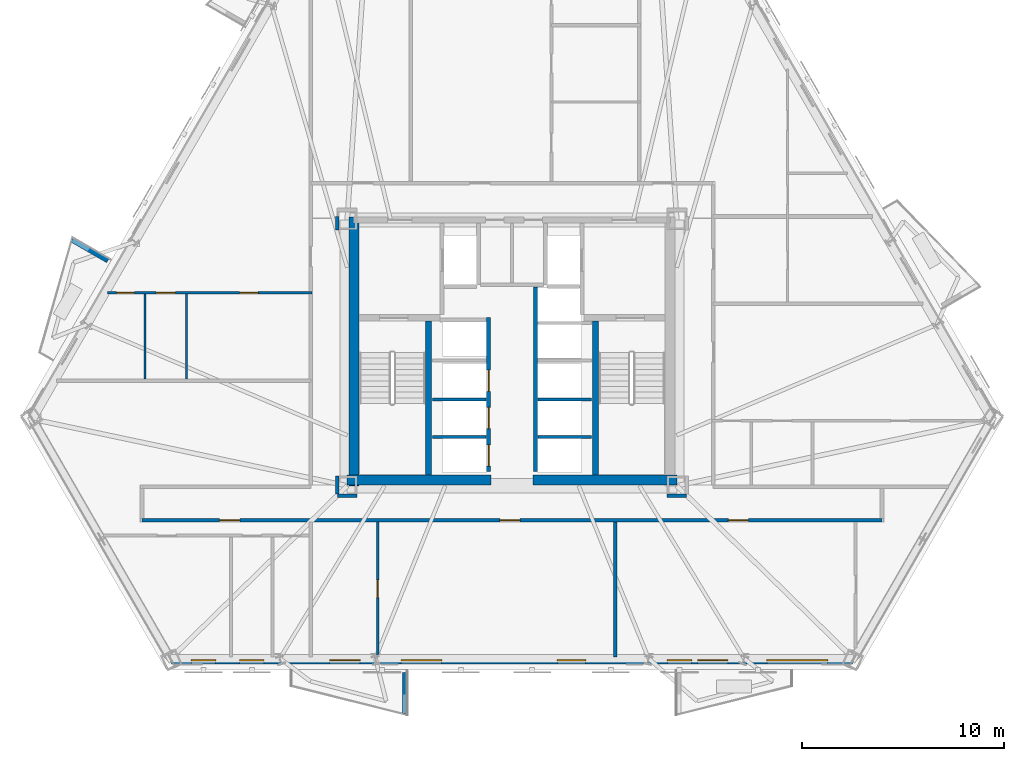
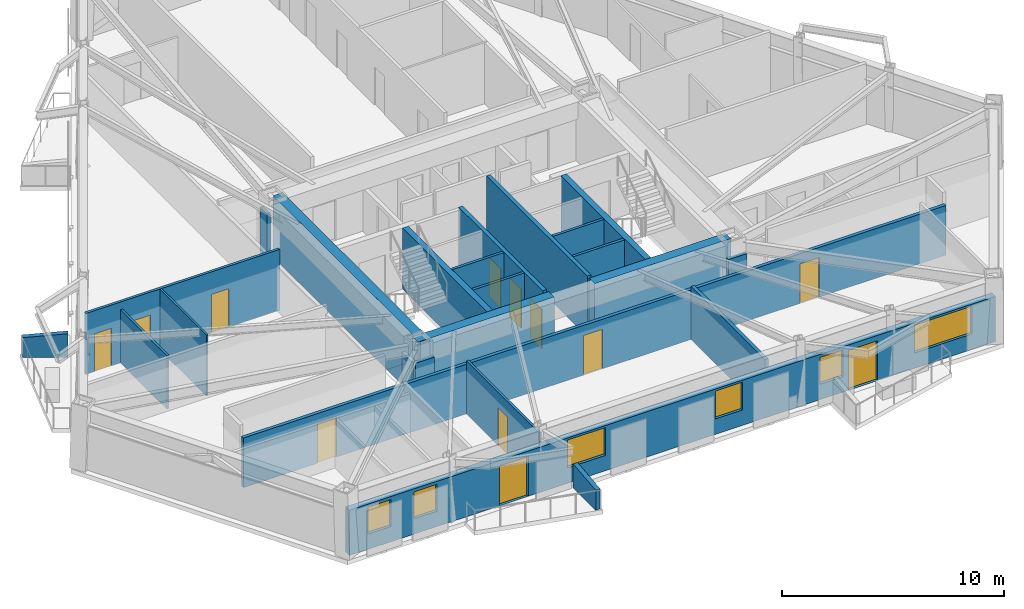
# One storey, part 3 of 10: 24 walls, 12 doors, 6 windows, 18 openings.
"""IFC4 building model written with IfcOpenShell, lengths in metres."""

from ifc_helpers import new_model, si_unit, direction, frame, frame_2d, origin, place, context, subcontext, project, spatial, polyline, rectangle, outline, extrude, material, layer, layer_set, type_object, element, fill, save


model = new_model("IFC4")

# Units and contexts
model_context = context("Model", 3, precision=1e-05, world=origin(), true_north=direction((0.0, 1.0)))
body_context = subcontext(model_context, "Body", "Model", "MODEL_VIEW")
ifc_project = project(units=[si_unit("LENGTHUNIT", "METRE"), si_unit("AREAUNIT", "SQUARE_METRE"), si_unit("VOLUMEUNIT", "CUBIC_METRE"), si_unit("PLANEANGLEUNIT", "RADIAN"), si_unit("MASSUNIT", "GRAM", prefix="KILO")], contexts=[model_context])

# Site, building, storey
site_placement = place(None, origin())
site = spatial("IfcSite", under=ifc_project, at=site_placement, CompositionType="ELEMENT")
building_placement = place(site_placement, origin())
building = spatial("IfcBuilding", under=site, at=building_placement, Name="Oramaril Tower", CompositionType="ELEMENT")
storey_placement = place(building_placement, frame((0.0, 0.0, 63.300048828125)))
storey = spatial("IfcBuildingStorey", under=building, at=storey_placement, Name="L16", CompositionType="ELEMENT", Elevation=63.300048828125)

# Wall, openings, doors, windows
ifc_material_1 = material(Name="Warm Cream Limestone", Category="masonry")
ifc_layer_1 = layer(ifc_material_1, 0.340087890625)
ifc_layer_set_1 = layer_set([ifc_layer_1], Name="WT-EXT34")
wall_type_1 = type_object("IfcWallType", Name="WT-EXT34", PredefinedType="SOLIDWALL", material=ifc_layer_set_1)
wall_1_placement = place(storey_placement, frame((20.66259765625, 2.370361328125, 0.0), z_axis=(0.0, 0.0, 1.0), x_axis=(1.0, 0.0, 0.0)))
wall_1 = element("IfcWall", 1, at=wall_1_placement, inside=storey, type_object=wall_type_1, Name="L16 Tower Limestone Facade Wall 2M", PredefinedType="SOLIDWALL", context=body_context, shape_type="SweptSolid", body=[
    extrude(rectangle(XDim=33.6748046875, YDim=0.340087890625, at=frame_2d((16.83740234375, 0.0))), origin(), (0.0, 0.0, 1.0), 2.493896484375),
])
opening_1_placement = place(wall_1_placement, frame((7.824462890625, 0.0, 0.0)))
opening_1 = element("IfcOpeningElement", 2, at=opening_1_placement, cuts=wall_1, Name="Opening D-L16-BAL-S1", PredefinedType="OPENING", context=body_context, shape_type="SweptSolid", body=[
    extrude(rectangle(XDim=1.5, YDim=2.199951171875, at=frame_2d((0.75, 1.10009765625))), frame((0.0, 0.169921875, 0.0), z_axis=(0.0, -1.0, 0.0), x_axis=(1.0, 0.0, 0.0)), (0.0, 0.0, 1.0), 0.340087890625),
])
opening_2_placement = place(wall_1_placement, frame((26.015380859375, 0.0, 0.0)))
opening_2 = element("IfcOpeningElement", 3, at=opening_2_placement, cuts=wall_1, Name="Opening D-L16-BAL-S2", PredefinedType="OPENING", context=body_context, shape_type="SweptSolid", body=[
    extrude(rectangle(XDim=1.5, YDim=2.199951171875, at=frame_2d((0.75, 1.10009765625))), frame((0.0, 0.169921875, 0.0), z_axis=(0.0, -1.0, 0.0), x_axis=(1.0, 0.0, 0.0)), (0.0, 0.0, 1.0), 0.340087890625),
])
opening_3_placement = place(wall_1_placement, frame((11.357177734375, 0.0, 0.85009765625)))
opening_3 = element("IfcOpeningElement", 4, at=opening_3_placement, cuts=wall_1, Name="Opening WN-05", PredefinedType="OPENING", context=body_context, shape_type="SweptSolid", body=[
    extrude(rectangle(XDim=2.0, YDim=1.533935546875, at=frame_2d((1.0, 0.76708984375))), frame((0.0, 0.169921875, 0.0), z_axis=(0.0, -1.0, 0.0), x_axis=(1.0, 0.0, 0.0)), (0.0, 0.0, 1.0), 0.340087890625),
])
opening_4_placement = place(wall_1_placement, frame((19.07861328125, 0.0, 0.85009765625)))
opening_4 = element("IfcOpeningElement", 5, at=opening_4_placement, cuts=wall_1, Name="Opening WN-08", PredefinedType="OPENING", context=body_context, shape_type="SweptSolid", body=[
    extrude(rectangle(XDim=1.39990234375, YDim=1.533935546875, at=frame_2d((0.699951171875, 0.76708984375))), frame((0.0, 0.169921875, 0.0), z_axis=(0.0, -1.0, 0.0), x_axis=(1.0, 0.0, 0.0)), (0.0, 0.0, 1.0), 0.340087890625),
])
opening_5_placement = place(wall_1_placement, frame((24.52099609375, 0.0, 0.85009765625)))
opening_5 = element("IfcOpeningElement", 6, at=opening_5_placement, cuts=wall_1, Name="Opening WN-09", PredefinedType="OPENING", context=body_context, shape_type="SweptSolid", body=[
    extrude(rectangle(XDim=1.199951171875, YDim=1.47998046875, at=frame_2d((0.60009765625, 0.739990234375))), frame((0.0, 0.169921875, 0.0), z_axis=(0.0, -1.0, 0.0), x_axis=(1.0, 0.0, 0.0)), (0.0, 0.0, 1.0), 0.340087890625),
])
opening_6_placement = place(wall_1_placement, frame((29.44482421875, 0.0, 0.85009765625)))
opening_6 = element("IfcOpeningElement", 7, at=opening_6_placement, cuts=wall_1, Name="Opening WN-10", PredefinedType="OPENING", context=body_context, shape_type="SweptSolid", body=[
    extrude(rectangle(XDim=3.0, YDim=1.533935546875, at=frame_2d((1.5, 0.76708984375))), frame((0.0, 0.169921875, 0.0), z_axis=(0.0, -1.0, 0.0), x_axis=(1.0, 0.0, 0.0)), (0.0, 0.0, 1.0), 0.340087890625),
])
opening_7_placement = place(wall_1_placement, frame((0.97998046875, 0.0, 0.85009765625)))
opening_7 = element("IfcOpeningElement", 8, at=opening_7_placement, cuts=wall_1, Name="Opening WN-09", PredefinedType="OPENING", context=body_context, shape_type="SweptSolid", body=[
    extrude(rectangle(XDim=1.199951171875, YDim=1.47998046875, at=frame_2d((0.60009765625, 0.739990234375))), frame((0.0, 0.169921875, 0.0), z_axis=(0.0, -1.0, 0.0), x_axis=(1.0, 0.0, 0.0)), (0.0, 0.0, 1.0), 0.340087890625),
])
opening_8_placement = place(wall_1_placement, frame((3.372314453125, 0.0, 0.85009765625)))
opening_8 = element("IfcOpeningElement", 9, at=opening_8_placement, cuts=wall_1, Name="Opening WN-09", PredefinedType="OPENING", context=body_context, shape_type="SweptSolid", body=[
    extrude(rectangle(XDim=1.199951171875, YDim=1.47998046875, at=frame_2d((0.60009765625, 0.739990234375))), frame((0.0, 0.169921875, 0.0), z_axis=(0.0, -1.0, 0.0), x_axis=(1.0, 0.0, 0.0)), (0.0, 0.0, 1.0), 0.340087890625),
])
ifc_material_2 = material(Name="Anodised Aluminium 6063-T6", Category="aluminium")
door_type_1 = type_object("IfcDoorType", Name="DT-BAL", OperationType="NOTDEFINED", PredefinedType="DOOR", material=ifc_material_2)
door_1_placement = place(opening_1_placement, origin())
door_1 = element("IfcDoor", 10, at=door_1_placement, inside=storey, type_object=door_type_1, Name="L16 Balcony Glazed Door L16-BAL-S1", OperationType="SINGLE_SWING_LEFT", OverallHeight=2.199951171875, OverallWidth=1.5, PredefinedType="DOOR", context=body_context, shape_type="SweptSolid", body=[
    extrude(rectangle(XDim=1.5, YDim=2.199951171875, at=frame_2d((0.75, 1.10009765625))), frame((0.0, 0.02490234375, 0.0), z_axis=(0.0, -1.0, 0.0), x_axis=(1.0, 0.0, 0.0)), (0.0, 0.0, 1.0), 0.050048828125),
])
fill(opening_1, door_1)
door_2_placement = place(opening_2_placement, origin())
door_2 = element("IfcDoor", 11, at=door_2_placement, inside=storey, type_object=door_type_1, Name="L16 Balcony Glazed Door L16-BAL-S2", OperationType="SINGLE_SWING_RIGHT", OverallHeight=2.199951171875, OverallWidth=1.5, PredefinedType="DOOR", context=body_context, shape_type="SweptSolid", body=[
    extrude(rectangle(XDim=1.5, YDim=2.199951171875, at=frame_2d((0.75, 1.10009765625))), frame((0.0, 0.02490234375, 0.0), z_axis=(0.0, -1.0, 0.0), x_axis=(1.0, 0.0, 0.0)), (0.0, 0.0, 1.0), 0.050048828125),
])
fill(opening_2, door_2)
ifc_material_3 = material(Name="Coastal Low-E Insulated Glass", Category="glass")
window_type_1 = type_object("IfcWindowType", Name="WNT-05", PartitioningType="SINGLE_PANEL", PredefinedType="WINDOW", material=ifc_material_3)
window_1_placement = place(opening_3_placement, origin())
window_1 = element("IfcWindow", 12, at=window_1_placement, inside=storey, type_object=window_type_1, Name="L16 Chicago Bay Window WN-05", OverallHeight=1.533935546875, OverallWidth=2.0, PartitioningType="SINGLE_PANEL", PredefinedType="WINDOW", context=body_context, shape_type="SweptSolid", body=[
    extrude(rectangle(XDim=2.0, YDim=1.533935546875, at=frame_2d((1.0, 0.76708984375))), frame((0.0, 0.030029296875, 0.0), z_axis=(0.0, -1.0, 0.0), x_axis=(1.0, 0.0, 0.0)), (0.0, 0.0, 1.0), 0.06005859375),
])
fill(opening_3, window_1)
ifc_material_4 = material(Name="Coastal Low-E Insulated Glass", Category="glass")
window_type_2 = type_object("IfcWindowType", Name="WNT-08", PartitioningType="SINGLE_PANEL", PredefinedType="WINDOW", material=ifc_material_4)
window_2_placement = place(opening_4_placement, origin())
window_2 = element("IfcWindow", 13, at=window_2_placement, inside=storey, type_object=window_type_2, Name="L16 Chicago Bay Window WN-08", OverallHeight=1.533935546875, OverallWidth=1.39990234375, PartitioningType="SINGLE_PANEL", PredefinedType="WINDOW", context=body_context, shape_type="SweptSolid", body=[
    extrude(rectangle(XDim=1.39990234375, YDim=1.533935546875, at=frame_2d((0.699951171875, 0.76708984375))), frame((0.0, 0.030029296875, 0.0), z_axis=(0.0, -1.0, 0.0), x_axis=(1.0, 0.0, 0.0)), (0.0, 0.0, 1.0), 0.06005859375),
])
fill(opening_4, window_2)
ifc_material_5 = material(Name="Coastal Low-E Insulated Glass", Category="glass")
window_type_3 = type_object("IfcWindowType", Name="WNT-09", PartitioningType="SINGLE_PANEL", PredefinedType="WINDOW", material=ifc_material_5)
window_3_placement = place(opening_5_placement, origin())
window_3 = element("IfcWindow", 14, at=window_3_placement, inside=storey, type_object=window_type_3, Name="L16 Chicago Bay Window WN-09", OverallHeight=1.47998046875, OverallWidth=1.199951171875, PartitioningType="SINGLE_PANEL", PredefinedType="WINDOW", context=body_context, shape_type="SweptSolid", body=[
    extrude(rectangle(XDim=1.199951171875, YDim=1.47998046875, at=frame_2d((0.60009765625, 0.739990234375))), frame((0.0, 0.030029296875, 0.0), z_axis=(0.0, -1.0, 0.0), x_axis=(1.0, 0.0, 0.0)), (0.0, 0.0, 1.0), 0.06005859375),
])
fill(opening_5, window_3)
window_4_placement = place(opening_7_placement, origin())
window_4 = element("IfcWindow", 15, at=window_4_placement, inside=storey, type_object=window_type_3, Name="L16 Chicago Bay Window WN-09", OverallHeight=1.47998046875, OverallWidth=1.199951171875, PartitioningType="SINGLE_PANEL", PredefinedType="WINDOW", context=body_context, shape_type="SweptSolid", body=[
    extrude(rectangle(XDim=1.199951171875, YDim=1.47998046875, at=frame_2d((0.60009765625, 0.739990234375))), frame((0.0, 0.030029296875, 0.0), z_axis=(0.0, -1.0, 0.0), x_axis=(1.0, 0.0, 0.0)), (0.0, 0.0, 1.0), 0.06005859375),
])
fill(opening_7, window_4)
window_5_placement = place(opening_8_placement, origin())
window_5 = element("IfcWindow", 16, at=window_5_placement, inside=storey, type_object=window_type_3, Name="L16 Chicago Bay Window WN-09", OverallHeight=1.47998046875, OverallWidth=1.199951171875, PartitioningType="SINGLE_PANEL", PredefinedType="WINDOW", context=body_context, shape_type="SweptSolid", body=[
    extrude(rectangle(XDim=1.199951171875, YDim=1.47998046875, at=frame_2d((0.60009765625, 0.739990234375))), frame((0.0, 0.030029296875, 0.0), z_axis=(0.0, -1.0, 0.0), x_axis=(1.0, 0.0, 0.0)), (0.0, 0.0, 1.0), 0.06005859375),
])
fill(opening_8, window_5)
ifc_material_6 = material(Name="Coastal Low-E Insulated Glass", Category="glass")
window_type_4 = type_object("IfcWindowType", Name="WNT-10", PartitioningType="SINGLE_PANEL", PredefinedType="WINDOW", material=ifc_material_6)
window_6_placement = place(opening_6_placement, origin())
window_6 = element("IfcWindow", 17, at=window_6_placement, inside=storey, type_object=window_type_4, Name="L16 Chicago Bay Window WN-10", OverallHeight=1.533935546875, OverallWidth=3.0, PartitioningType="SINGLE_PANEL", PredefinedType="WINDOW", context=body_context, shape_type="SweptSolid", body=[
    extrude(rectangle(XDim=3.0, YDim=1.533935546875, at=frame_2d((1.5, 0.76708984375))), frame((0.0, 0.030029296875, 0.0), z_axis=(0.0, -1.0, 0.0), x_axis=(1.0, 0.0, 0.0)), (0.0, 0.0, 1.0), 0.06005859375),
])
fill(opening_6, window_6)

# Walls
ifc_material_7 = material(Name="Concrete C40/50", Category="concrete")
ifc_layer_2 = layer(ifc_material_7, 0.22998046875)
ifc_layer_set_2 = layer_set([ifc_layer_2], Name="WT-PRP23")
wall_type_2 = type_object("IfcWallType", Name="WT-PRP23", PredefinedType="PARAPET", material=ifc_layer_set_2)
for number, where, z_axis, x_axis, name in (
    (18, (32.19189453125, 1.772216796875, 0.0), (0.0, 0.0, 1.0), (0.0, -1.0, 0.0), "L16 Trapezoidal Balcony Frame Cheek L16-BAL-S1-R"),
    (19, (17.51123046875, 22.1337890625, 0.0), (0.0, 0.0, 1.0), (-0.866012356593, 0.500022597718, 0.0), "L16 Trapezoidal Balcony Frame Cheek L16-BAL-NW2-L"),
):
    element("IfcWall", number, at=place(storey_placement, frame(where, z_axis=z_axis, x_axis=x_axis)), inside=storey, type_object=wall_type_2, Name=name, PredefinedType="PARAPET", context=body_context, shape_type="SweptSolid", body=[
        extrude(outline(polyline([(0.0, 0.0), (2.0419921875, 0.0), (2.0419921875, 1.099853515625), (0.0, 1.320068359375), (0.0, 0.0)])), frame((0.0, 0.114990234375, 0.0), z_axis=(0.0, -1.0, 0.0), x_axis=(1.0, 0.0, 0.0)), (0.0, 0.0, 1.0), 0.22998046875),
    ])
ifc_material_8 = material(Name="Acoustic Gypsum Board Partition")
ifc_layer_3 = layer(ifc_material_8, 0.10009765625)
ifc_layer_set_3 = layer_set([ifc_layer_3], Name="WT-PT10")
wall_type_3 = type_object("IfcWallType", Name="WT-PT10", PredefinedType="PARTITIONING", material=ifc_layer_set_3)
wall_2_placement = place(storey_placement, frame((21.39990234375, 16.2939453125, 0.0), z_axis=(0.0, 0.0, 1.0), x_axis=(0.0, 1.0, 0.0)))
element("IfcWall", 20, at=wall_2_placement, inside=storey, type_object=wall_type_3, Name="L16 Interior Partition PT-10", PredefinedType="PARTITIONING", context=body_context, shape_type="SweptSolid", body=[
    extrude(rectangle(XDim=4.18212890625, YDim=0.10009765625, at=frame_2d((2.091064453125, 0.0))), origin(), (0.0, 0.0, 1.0), 3.35986328125),
])
ifc_material_9 = material(Name="Acoustic Gypsum Board Partition")
ifc_layer_4 = layer(ifc_material_9, 0.1201171875)
ifc_layer_set_4 = layer_set([ifc_layer_4], Name="WT-PT12")
wall_type_4 = type_object("IfcWallType", Name="WT-PT12", PredefinedType="PARTITIONING", material=ifc_layer_set_4)
wall_3_placement = place(storey_placement, frame((19.35009765625, 16.2939453125, 0.0), z_axis=(0.0, 0.0, 1.0), x_axis=(0.0, 1.0, 0.0)))
element("IfcWall", 21, at=wall_3_placement, inside=storey, type_object=wall_type_4, Name="L16 Interior Partition PT-12", PredefinedType="PARTITIONING", context=body_context, shape_type="SweptSolid", body=[
    extrude(rectangle(XDim=4.18212890625, YDim=0.1201171875, at=frame_2d((2.091064453125, 0.0))), origin(), (0.0, 0.0, 1.0), 2.946044921875),
])

# Wall, opening, door
wall_4_placement = place(storey_placement, frame((30.860107421875, 2.638671875, 0.0), z_axis=(0.0, 0.0, 1.0), x_axis=(0.0, 1.0, 0.0)))
wall_4 = element("IfcWall", 22, at=wall_4_placement, inside=storey, type_object=wall_type_4, Name="L16 Interior Partition PT-12", PredefinedType="PARTITIONING", context=body_context, shape_type="SweptSolid", body=[
    extrude(rectangle(XDim=6.5673828125, YDim=0.1201171875, at=frame_2d((3.28369140625, 0.0))), origin(), (0.0, 0.0, 1.0), 2.946044921875),
])
opening_9_placement = place(wall_4_placement, frame((2.83154296875, 0.0, 0.0)))
opening_9 = element("IfcOpeningElement", 23, at=opening_9_placement, cuts=wall_4, Name="Opening D-L16-18", PredefinedType="OPENING", context=body_context, shape_type="SweptSolid", body=[
    extrude(rectangle(XDim=0.8798828125, YDim=2.080078125, at=frame_2d((0.43994140625, 1.0400390625))), frame((0.0, 0.06005859375, 0.0), z_axis=(0.0, -1.0, 0.0), x_axis=(1.0, 0.0, 0.0)), (0.0, 0.0, 1.0), 0.1201171875),
])
ifc_material_10 = material(Name="FSC Brazilian Freijo Hardwood", Category="wood")
door_type_2 = type_object("IfcDoorType", Name="DT-BATH", OperationType="NOTDEFINED", PredefinedType="DOOR", material=ifc_material_10)
door_3_placement = place(opening_9_placement, origin())
door_3 = element("IfcDoor", 24, at=door_3_placement, inside=storey, type_object=door_type_2, Name="L16 Flat L16-U1 Bathroom Door D-L16-18", OperationType="SINGLE_SWING_LEFT", OverallHeight=2.080078125, OverallWidth=0.8798828125, PredefinedType="DOOR", context=body_context, shape_type="SweptSolid", body=[
    extrude(rectangle(XDim=0.8798828125, YDim=2.080078125, at=frame_2d((0.43994140625, 1.0400390625))), frame((0.0, 0.02490234375, 0.0), z_axis=(0.0, -1.0, 0.0), x_axis=(1.0, 0.0, 0.0)), (0.0, 0.0, 1.0), 0.050048828125),
])
fill(opening_9, door_3)

# Walls
ifc_material_11 = material(Name="Acoustic Gypsum Board Partition")
ifc_layer_5 = layer(ifc_material_11, 0.139892578125)
ifc_layer_set_5 = layer_set([ifc_layer_5], Name="WT-PT14")
wall_type_5 = type_object("IfcWallType", Name="WT-PT14", PredefinedType="PARTITIONING", material=ifc_layer_set_5)
for number, where, z_axis, x_axis, name in (
    (25, (33.56005859375, 13.419921875, 0.0), (0.0, 0.0, 1.0), (1.0, 0.0, 0.0), "L16 West Lift Divider"),
    (26, (33.56005859375, 15.27001953125, 0.0), (0.0, 0.0, 1.0), (1.0, 0.0, 0.0), "L16 West Lift Divider"),
    (27, (38.780029296875, 13.419921875, 0.0), (0.0, 0.0, 1.0), (1.0, 0.0, 0.0), "L16 East Lift Divider"),
    (28, (38.780029296875, 15.27001953125, 0.0), (0.0, 0.0, 1.0), (1.0, 0.0, 0.0), "L16 East Lift Divider"),
):
    element("IfcWall", number, at=place(storey_placement, frame(where, z_axis=z_axis, x_axis=x_axis)), inside=storey, type_object=wall_type_5, Name=name, PredefinedType="PARTITIONING", context=body_context, shape_type="SweptSolid", body=[
        extrude(rectangle(XDim=2.659912109375, YDim=0.139892578125, at=frame_2d((1.330078125, 0.0))), origin(), (0.0, 0.0, 1.0), 3.35986328125),
    ])

# Wall, openings, doors
wall_5_placement = place(storey_placement, frame((17.48828125, 20.550048828125, 0.0), z_axis=(0.0, 0.0, 1.0), x_axis=(1.0, 0.0, 0.0)))
wall_5 = element("IfcWall", 29, at=wall_5_placement, inside=storey, type_object=wall_type_5, Name="L16 Interior Partition PT-14", PredefinedType="PARTITIONING", context=body_context, shape_type="SweptSolid", body=[
    extrude(rectangle(XDim=10.11181640625, YDim=0.139892578125, at=frame_2d((5.055908203125, 0.0))), origin(), (0.0, 0.0, 1.0), 3.35986328125),
])
opening_10_placement = place(wall_5_placement, frame((0.46240234375, 0.0, 0.0)))
opening_10 = element("IfcOpeningElement", 30, at=opening_10_placement, cuts=wall_5, Name="Opening D-L16-10", PredefinedType="OPENING", context=body_context, shape_type="SweptSolid", body=[
    extrude(rectangle(XDim=0.8798828125, YDim=2.080078125, at=frame_2d((0.43994140625, 1.0400390625))), frame((0.0, 0.06982421875, 0.0), z_axis=(0.0, -1.0, 0.0), x_axis=(1.0, 0.0, 0.0)), (0.0, 0.0, 1.0), 0.139892578125),
])
opening_11_placement = place(wall_5_placement, frame((2.412353515625, 0.0, 0.0)))
opening_11 = element("IfcOpeningElement", 31, at=opening_11_placement, cuts=wall_5, Name="Opening D-L16-11", PredefinedType="OPENING", context=body_context, shape_type="SweptSolid", body=[
    extrude(rectangle(XDim=0.949951171875, YDim=2.10009765625, at=frame_2d((0.47509765625, 1.050048828125))), frame((0.0, 0.06982421875, 0.0), z_axis=(0.0, -1.0, 0.0), x_axis=(1.0, 0.0, 0.0)), (0.0, 0.0, 1.0), 0.139892578125),
])
opening_12_placement = place(wall_5_placement, frame((6.5419921875, 0.0, 0.0)))
opening_12 = element("IfcOpeningElement", 32, at=opening_12_placement, cuts=wall_5, Name="Opening D-L16-12", PredefinedType="OPENING", context=body_context, shape_type="SweptSolid", body=[
    extrude(rectangle(XDim=0.919921875, YDim=2.1201171875, at=frame_2d((0.4599609375, 1.06005859375))), frame((0.0, 0.06982421875, 0.0), z_axis=(0.0, -1.0, 0.0), x_axis=(1.0, 0.0, 0.0)), (0.0, 0.0, 1.0), 0.139892578125),
])
door_4_placement = place(opening_10_placement, origin())
door_4 = element("IfcDoor", 33, at=door_4_placement, inside=storey, type_object=door_type_2, Name="L16 Flat L16-U4 Bathroom Door D-L16-10", OperationType="SINGLE_SWING_LEFT", OverallHeight=2.080078125, OverallWidth=0.8798828125, PredefinedType="DOOR", context=body_context, shape_type="SweptSolid", body=[
    extrude(rectangle(XDim=0.8798828125, YDim=2.080078125, at=frame_2d((0.43994140625, 1.0400390625))), frame((0.0, 0.02490234375, 0.0), z_axis=(0.0, -1.0, 0.0), x_axis=(1.0, 0.0, 0.0)), (0.0, 0.0, 1.0), 0.050048828125),
])
fill(opening_10, door_4)
ifc_material_12 = material(Name="FSC Brazilian Freijo Hardwood", Category="wood")
door_type_3 = type_object("IfcDoorType", Name="DT-BED", OperationType="NOTDEFINED", PredefinedType="DOOR", material=ifc_material_12)
door_5_placement = place(opening_12_placement, origin())
door_5 = element("IfcDoor", 34, at=door_5_placement, inside=storey, type_object=door_type_3, Name="L16 Flat L16-U4 Master Bedroom Door D-L16-12", OperationType="SINGLE_SWING_LEFT", OverallHeight=2.1201171875, OverallWidth=0.919921875, PredefinedType="DOOR", context=body_context, shape_type="SweptSolid", body=[
    extrude(rectangle(XDim=0.919921875, YDim=2.1201171875, at=frame_2d((0.4599609375, 1.06005859375))), frame((0.0, 0.02490234375, 0.0), z_axis=(0.0, -1.0, 0.0), x_axis=(1.0, 0.0, 0.0)), (0.0, 0.0, 1.0), 0.050048828125),
])
fill(opening_12, door_5)
ifc_material_13 = material(Name="FSC Brazilian Freijo Hardwood", Category="wood")
door_type_4 = type_object("IfcDoorType", Name="DT-STDY", OperationType="NOTDEFINED", PredefinedType="DOOR", material=ifc_material_13)
door_6_placement = place(opening_11_placement, origin())
door_6 = element("IfcDoor", 35, at=door_6_placement, inside=storey, type_object=door_type_4, Name="L16 Flat L16-U4 Kitchen Door D-L16-11", OperationType="SINGLE_SWING_RIGHT", OverallHeight=2.10009765625, OverallWidth=0.949951171875, PredefinedType="DOOR", context=body_context, shape_type="SweptSolid", body=[
    extrude(rectangle(XDim=0.949951171875, YDim=2.10009765625, at=frame_2d((0.47509765625, 1.050048828125))), frame((0.0, 0.02490234375, 0.0), z_axis=(0.0, -1.0, 0.0), x_axis=(1.0, 0.0, 0.0)), (0.0, 0.0, 1.0), 0.050048828125),
])
fill(opening_11, door_6)

ifc_material_14 = material(Name="Autoclaved Cellular Concrete Block", Category="concrete")
ifc_layer_6 = layer(ifc_material_14, 0.179931640625)
ifc_layer_set_6 = layer_set([ifc_layer_6], Name="WT-PT18")
wall_type_6 = type_object("IfcWallType", Name="WT-PT18", PredefinedType="PARTITIONING", material=ifc_layer_set_6)
wall_6_placement = place(storey_placement, frame((19.199951171875, 9.300048828125, 0.0), z_axis=(0.0, 0.0, 1.0), x_axis=(1.0, 0.0, 0.0)))
wall_6 = element("IfcWall", 36, at=wall_6_placement, inside=storey, type_object=wall_type_6, Name="L16 Interior Partition PT-18", PredefinedType="PARTITIONING", context=body_context, shape_type="SweptSolid", body=[
    extrude(rectangle(XDim=36.60009765625, YDim=0.179931640625, at=frame_2d((18.300048828125, 0.0))), origin(), (0.0, 0.0, 1.0), 2.738037109375),
])
opening_13_placement = place(wall_6_placement, frame((3.84423828125, 0.0, 0.0)))
opening_13 = element("IfcOpeningElement", 37, at=opening_13_placement, cuts=wall_6, Name="Opening D-L16-04", PredefinedType="OPENING", context=body_context, shape_type="SweptSolid", body=[
    extrude(rectangle(XDim=1.0, YDim=2.179931640625, at=frame_2d((0.5, 1.08984375))), frame((0.0, 0.08984375, 0.0), z_axis=(0.0, -1.0, 0.0), x_axis=(1.0, 0.0, 0.0)), (0.0, 0.0, 1.0), 0.179931640625),
])
opening_14_placement = place(wall_6_placement, frame((17.69873046875, 0.0, 0.0)))
opening_14 = element("IfcOpeningElement", 38, at=opening_14_placement, cuts=wall_6, Name="Opening D-L16-05", PredefinedType="OPENING", context=body_context, shape_type="SweptSolid", body=[
    extrude(rectangle(XDim=1.0, YDim=2.179931640625, at=frame_2d((0.5, 1.08984375))), frame((0.0, 0.08984375, 0.0), z_axis=(0.0, -1.0, 0.0), x_axis=(1.0, 0.0, 0.0)), (0.0, 0.0, 1.0), 0.179931640625),
])
opening_15_placement = place(wall_6_placement, frame((28.9951171875, 0.0, 0.0)))
opening_15 = element("IfcOpeningElement", 39, at=opening_15_placement, cuts=wall_6, Name="Opening D-L16-06", PredefinedType="OPENING", context=body_context, shape_type="SweptSolid", body=[
    extrude(rectangle(XDim=1.0, YDim=2.179931640625, at=frame_2d((0.5, 1.08984375))), frame((0.0, 0.08984375, 0.0), z_axis=(0.0, -1.0, 0.0), x_axis=(1.0, 0.0, 0.0)), (0.0, 0.0, 1.0), 0.179931640625),
])
ifc_material_15 = material(Name="FSC Brazilian Freijo Hardwood", Category="wood")
door_type_5 = type_object("IfcDoorType", Name="DT-APT", OperationType="NOTDEFINED", PredefinedType="DOOR", material=ifc_material_15)
door_7_placement = place(opening_13_placement, origin())
door_7 = element("IfcDoor", 40, at=door_7_placement, inside=storey, type_object=door_type_5, Name="L16 Flat L16-U3 Penthouse Living and Dining Room Door D-L16-04", OperationType="SINGLE_SWING_LEFT", OverallHeight=2.179931640625, OverallWidth=1.0, PredefinedType="DOOR", context=body_context, shape_type="SweptSolid", body=[
    extrude(rectangle(XDim=1.0, YDim=2.179931640625, at=frame_2d((0.5, 1.08984375))), frame((0.0, 0.02490234375, 0.0), z_axis=(0.0, -1.0, 0.0), x_axis=(1.0, 0.0, 0.0)), (0.0, 0.0, 1.0), 0.050048828125),
])
fill(opening_13, door_7)
door_8_placement = place(opening_14_placement, origin())
door_8 = element("IfcDoor", 41, at=door_8_placement, inside=storey, type_object=door_type_5, Name="L16 Flat L16-U1 Kitchen and Studio Apartment Door D-L16-05", OperationType="SINGLE_SWING_RIGHT", OverallHeight=2.179931640625, OverallWidth=1.0, PredefinedType="DOOR", context=body_context, shape_type="SweptSolid", body=[
    extrude(rectangle(XDim=1.0, YDim=2.179931640625, at=frame_2d((0.5, 1.08984375))), frame((0.0, 0.02490234375, 0.0), z_axis=(0.0, -1.0, 0.0), x_axis=(1.0, 0.0, 0.0)), (0.0, 0.0, 1.0), 0.050048828125),
])
fill(opening_14, door_8)
door_9_placement = place(opening_15_placement, origin())
door_9 = element("IfcDoor", 42, at=door_9_placement, inside=storey, type_object=door_type_5, Name="L16 Flat L16-U2 Kitchen and Studio Apartment Door D-L16-06", OperationType="SINGLE_SWING_LEFT", OverallHeight=2.179931640625, OverallWidth=1.0, PredefinedType="DOOR", context=body_context, shape_type="SweptSolid", body=[
    extrude(rectangle(XDim=1.0, YDim=2.179931640625, at=frame_2d((0.5, 1.08984375))), frame((0.0, 0.02490234375, 0.0), z_axis=(0.0, -1.0, 0.0), x_axis=(1.0, 0.0, 0.0)), (0.0, 0.0, 1.0), 0.050048828125),
])
fill(opening_15, door_9)

# Walls
for number, where, z_axis, x_axis, name in (
    (43, (28.860107421875, 10.510009765625, 0.0), (0.0, 0.0, 1.0), (1.0, 0.0, 0.0), "L16 Interior Partition PT-18"),
    (44, (45.159912109375, 10.510009765625, 0.0), (0.0, 0.0, 1.0), (1.0, 0.0, 0.0), "L16 Interior Partition PT-18"),
):
    element("IfcWall", number, at=place(storey_placement, frame(where, z_axis=z_axis, x_axis=x_axis)), inside=storey, type_object=wall_type_6, Name=name, PredefinedType="PARTITIONING", context=body_context, shape_type="SweptSolid", body=[
        extrude(rectangle(XDim=0.97998046875, YDim=0.179931640625, at=frame_2d((0.489990234375, 0.0))), origin(), (0.0, 0.0, 1.0), 2.738037109375),
    ])
wall_7_placement = place(storey_placement, frame((28.860107421875, 10.60400390625, 0.0), z_axis=(0.0, 0.0, 1.0), x_axis=(0.0, 1.0, 0.0)))
element("IfcWall", 45, at=wall_7_placement, inside=storey, type_object=wall_type_6, Name="L16 Interior Partition PT-18", PredefinedType="PARTITIONING", context=body_context, shape_type="SweptSolid", body=[
    extrude(rectangle(XDim=0.89111328125, YDim=0.179931640625, at=frame_2d((0.445556640625, 0.0))), origin(), (0.0, 0.0, 1.0), 2.738037109375),
])
wall_8_placement = place(storey_placement, frame((28.860107421875, 23.655029296875, 0.0), z_axis=(0.0, 0.0, 1.0), x_axis=(0.0, 1.0, 0.0)))
element("IfcWall", 46, at=wall_8_placement, inside=storey, type_object=wall_type_6, Name="L16 Interior Partition PT-18", PredefinedType="PARTITIONING", context=body_context, shape_type="SweptSolid", body=[
    extrude(rectangle(XDim=0.6650390625, YDim=0.179931640625, at=frame_2d((0.33251953125, 0.0))), origin(), (0.0, 0.0, 1.0), 2.946044921875),
])
wall_9_placement = place(storey_placement, frame((42.60009765625, 2.544189453125, 0.0), z_axis=(0.0, 0.0, 1.0), x_axis=(0.0, 1.0, 0.0)))
element("IfcWall", 47, at=wall_9_placement, inside=storey, type_object=wall_type_6, Name="L16 Interior Partition PT-18", PredefinedType="PARTITIONING", context=body_context, shape_type="SweptSolid", body=[
    extrude(rectangle(XDim=6.661865234375, YDim=0.179931640625, at=frame_2d((3.3310546875, 0.0))), origin(), (0.0, 0.0, 1.0), 2.946044921875),
])
ifc_material_16 = material(Name="Concrete C50/60", Category="concrete")
ifc_layer_7 = layer(ifc_material_16, 0.300048828125)
ifc_layer_set_7 = layer_set([ifc_layer_7], Name="WT-SH30")
wall_type_7 = type_object("IfcWallType", Name="WT-SH30", PredefinedType="SHEAR", material=ifc_layer_set_7)
for number, where, z_axis, x_axis, name in (
    (48, (33.3798828125, 11.5400390625, 0.0), (0.0, 0.0, 1.0), (0.0, 1.0, 0.0), "L16 Core Shear Wall CW-ST1E"),
    (49, (41.6201171875, 11.5400390625, 0.0), (0.0, 0.0, 1.0), (0.0, 1.0, 0.0), "L16 Core Shear Wall CW-ST2W"),
):
    element("IfcWall", number, at=place(storey_placement, frame(where, z_axis=z_axis, x_axis=x_axis)), inside=storey, type_object=wall_type_7, Name=name, PredefinedType="SHEAR", context=body_context, shape_type="SweptSolid", body=[
        extrude(rectangle(XDim=7.619873046875, YDim=0.300048828125, at=frame_2d((3.81005859375, 0.0))), origin(), (0.0, 0.0, 1.0), 3.35986328125),
    ])
ifc_material_17 = material(Name="Concrete C50/60", Category="concrete")
ifc_layer_8 = layer(ifc_material_17, 0.5)
ifc_layer_set_8 = layer_set([ifc_layer_8], Name="WT-SH50")
wall_type_8 = type_object("IfcWallType", Name="WT-SH50", PredefinedType="SHEAR", material=ifc_layer_set_8)
wall_10_placement = place(storey_placement, frame((29.68994140625, 11.0, 0.0), z_axis=(0.0, 0.0, 1.0), x_axis=(0.0, 1.0, 0.0)))
element("IfcWall", 50, at=wall_10_placement, inside=storey, type_object=wall_type_8, Name="L16 Core Shear Wall CW-W", PredefinedType="SHEAR", context=body_context, shape_type="SweptSolid", body=[
    extrude(rectangle(XDim=13.300048828125, YDim=0.5, at=frame_2d((6.64990234375, 0.0))), origin(), (0.0, 0.0, 1.0), 3.35986328125),
])
for number, where, z_axis, x_axis, name in (
    (51, (29.35009765625, 11.2900390625, 0.0), (0.0, 0.0, 1.0), (1.0, 0.0, 0.0), "L16 Core Shear Wall CW-SW"),
    (52, (38.550048828125, 11.2900390625, 0.0), (0.0, 0.0, 1.0), (1.0, 0.0, 0.0), "L16 Core Shear Wall CW-SE"),
):
    element("IfcWall", number, at=place(storey_placement, frame(where, z_axis=z_axis, x_axis=x_axis)), inside=storey, type_object=wall_type_8, Name=name, PredefinedType="SHEAR", context=body_context, shape_type="SweptSolid", body=[
        extrude(rectangle(XDim=7.099853515625, YDim=0.5, at=frame_2d((3.5498046875, 0.0))), origin(), (0.0, 0.0, 1.0), 3.35986328125),
    ])

# Wall, openings, doors
ifc_material_18 = material(Name="Autoclaved Cellular Concrete Block", Category="concrete")
ifc_layer_9 = layer(ifc_material_18, 0.199951171875)
ifc_layer_set_9 = layer_set([ifc_layer_9], Name="WT-SHF20")
wall_type_9 = type_object("IfcWallType", Name="WT-SHF20", PredefinedType="PARTITIONING", material=ifc_layer_set_9)
wall_11_placement = place(storey_placement, frame((36.340087890625, 11.719970703125, 0.0), z_axis=(0.0, 0.0, 1.0), x_axis=(0.0, 1.0, 0.0)))
wall_11 = element("IfcWall", 53, at=wall_11_placement, inside=storey, type_object=wall_type_9, Name="L16 West Lift Bank Front Wall", PredefinedType="PARTITIONING", context=body_context, shape_type="SweptSolid", body=[
    extrude(rectangle(XDim=7.60009765625, YDim=0.199951171875, at=frame_2d((3.800048828125, 0.0))), origin(), (0.0, 0.0, 1.0), 3.35986328125),
])
opening_16_placement = place(wall_11_placement, frame((0.2548828125, 0.0, 0.0)))
opening_16 = element("IfcOpeningElement", 54, at=opening_16_placement, cuts=wall_11, Name="Opening LD-L16-LP-L1", PredefinedType="OPENING", context=body_context, shape_type="SweptSolid", body=[
    extrude(rectangle(XDim=1.050048828125, YDim=2.14990234375, at=frame_2d((0.52490234375, 1.074951171875))), frame((0.0, 0.10009765625, 0.0), z_axis=(0.0, -1.0, 0.0), x_axis=(1.0, 0.0, 0.0)), (0.0, 0.0, 1.0), 0.199951171875),
])
opening_17_placement = place(wall_11_placement, frame((2.10498046875, 0.0, 0.0)))
opening_17 = element("IfcOpeningElement", 55, at=opening_17_placement, cuts=wall_11, Name="Opening LD-L16-LP-L2", PredefinedType="OPENING", context=body_context, shape_type="SweptSolid", body=[
    extrude(rectangle(XDim=1.050048828125, YDim=2.14990234375, at=frame_2d((0.52490234375, 1.074951171875))), frame((0.0, 0.10009765625, 0.0), z_axis=(0.0, -1.0, 0.0), x_axis=(1.0, 0.0, 0.0)), (0.0, 0.0, 1.0), 0.199951171875),
])
opening_18_placement = place(wall_11_placement, frame((3.955078125, 0.0, 0.0)))
opening_18 = element("IfcOpeningElement", 56, at=opening_18_placement, cuts=wall_11, Name="Opening LD-L16-LP-L3", PredefinedType="OPENING", context=body_context, shape_type="SweptSolid", body=[
    extrude(rectangle(XDim=1.050048828125, YDim=2.14990234375, at=frame_2d((0.52490234375, 1.074951171875))), frame((0.0, 0.10009765625, 0.0), z_axis=(0.0, -1.0, 0.0), x_axis=(1.0, 0.0, 0.0)), (0.0, 0.0, 1.0), 0.199951171875),
])
ifc_material_19 = material(Name="Stainless Steel 316L", Category="steel")
door_type_6 = type_object("IfcDoorType", Name="DT-LD2", OperationType="NOTDEFINED", PredefinedType="DOOR", material=ifc_material_19)
door_10_placement = place(opening_16_placement, origin())
door_10 = element("IfcDoor", 57, at=door_10_placement, inside=storey, type_object=door_type_6, Name="L16 Lift LP-L1 Sliding Landing Door", OperationType="SLIDING_TO_LEFT", OverallHeight=2.14990234375, OverallWidth=1.050048828125, PredefinedType="DOOR", context=body_context, shape_type="SweptSolid", body=[
    extrude(rectangle(XDim=1.050048828125, YDim=2.14990234375, at=frame_2d((0.52490234375, 1.074951171875))), frame((0.0, 0.02490234375, 0.0), z_axis=(0.0, -1.0, 0.0), x_axis=(1.0, 0.0, 0.0)), (0.0, 0.0, 1.0), 0.050048828125),
])
fill(opening_16, door_10)
door_11_placement = place(opening_17_placement, origin())
door_11 = element("IfcDoor", 58, at=door_11_placement, inside=storey, type_object=door_type_6, Name="L16 Lift LP-L2 Sliding Landing Door", OperationType="SLIDING_TO_RIGHT", OverallHeight=2.14990234375, OverallWidth=1.050048828125, PredefinedType="DOOR", context=body_context, shape_type="SweptSolid", body=[
    extrude(rectangle(XDim=1.050048828125, YDim=2.14990234375, at=frame_2d((0.52490234375, 1.074951171875))), frame((0.0, 0.02490234375, 0.0), z_axis=(0.0, -1.0, 0.0), x_axis=(1.0, 0.0, 0.0)), (0.0, 0.0, 1.0), 0.050048828125),
])
fill(opening_17, door_11)
door_12_placement = place(opening_18_placement, origin())
door_12 = element("IfcDoor", 59, at=door_12_placement, inside=storey, type_object=door_type_6, Name="L16 Lift LP-L3 Sliding Landing Door", OperationType="SLIDING_TO_LEFT", OverallHeight=2.14990234375, OverallWidth=1.050048828125, PredefinedType="DOOR", context=body_context, shape_type="SweptSolid", body=[
    extrude(rectangle(XDim=1.050048828125, YDim=2.14990234375, at=frame_2d((0.52490234375, 1.074951171875))), frame((0.0, 0.02490234375, 0.0), z_axis=(0.0, -1.0, 0.0), x_axis=(1.0, 0.0, 0.0)), (0.0, 0.0, 1.0), 0.050048828125),
])
fill(opening_18, door_12)

# Wall
wall_12_placement = place(storey_placement, frame((38.659912109375, 11.719970703125, 0.0), z_axis=(0.0, 0.0, 1.0), x_axis=(0.0, 1.0, 0.0)))
element("IfcWall", 60, at=wall_12_placement, inside=storey, type_object=wall_type_9, Name="L16 East Lift Bank Front Wall", PredefinedType="PARTITIONING", context=body_context, shape_type="SweptSolid", body=[
    extrude(rectangle(XDim=9.10009765625, YDim=0.199951171875, at=frame_2d((4.550048828125, 0.0))), origin(), (0.0, 0.0, 1.0), 3.35986328125),
])

save(model, "model.ifc")
